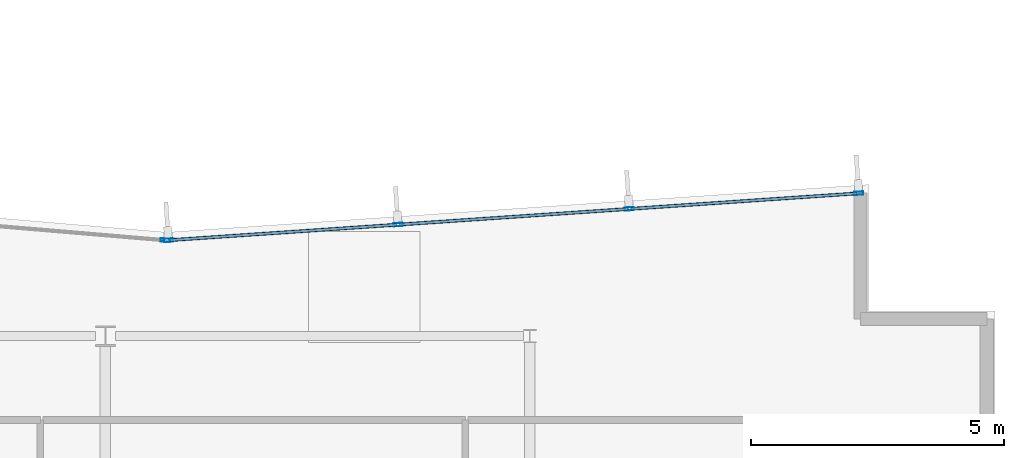
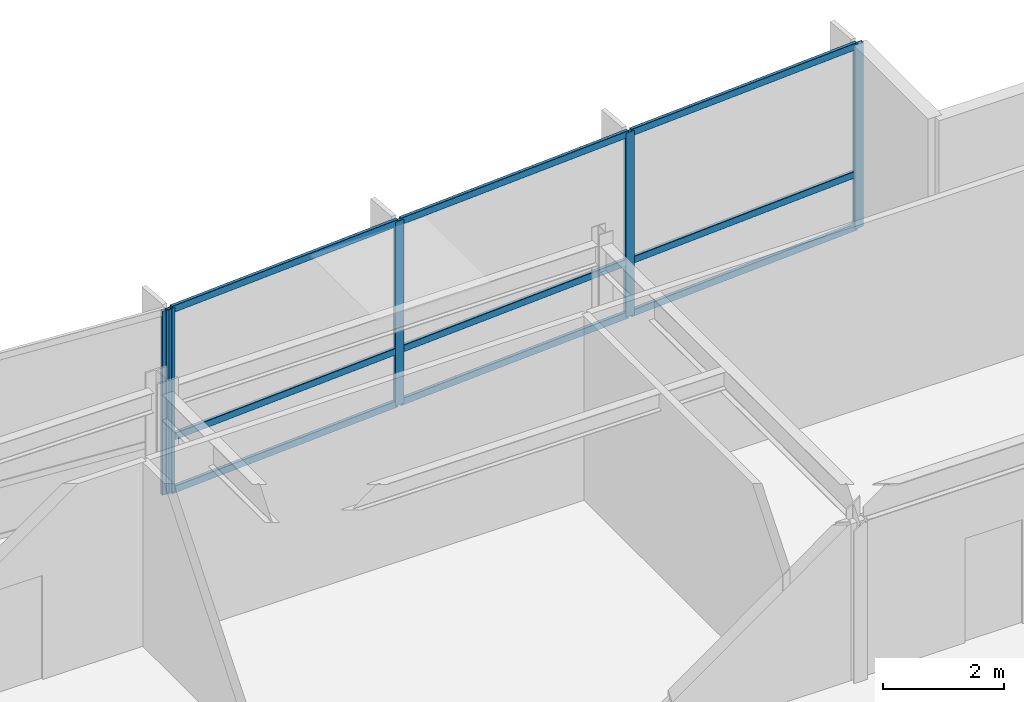
# One storey, part 7 of 14: 14 members, 2 elements without a shape of their own.
"""IFC4 building model written with IfcOpenShell, lengths in metres."""

from ifc_helpers import new_model, si_unit, direction, frame, origin, origin_2d, place, context, subcontext, project, spatial, hollow_rectangle, extrude, material, layer, layer_set, material_profile, profile_set, type_object, element, aggregate, save


model = new_model("IFC4")

# Units and contexts
model_context = context("Model", 3, precision=1e-05, world=origin(), true_north=direction((0.0, 1.0)))
body_context = subcontext(model_context, "Body", "Model", "MODEL_VIEW")
ifc_project = project(units=[si_unit("LENGTHUNIT", "METRE"), si_unit("AREAUNIT", "SQUARE_METRE"), si_unit("VOLUMEUNIT", "CUBIC_METRE"), si_unit("PLANEANGLEUNIT", "RADIAN"), si_unit("MASSUNIT", "GRAM", prefix="KILO")], contexts=[model_context])

# Site, building, storey
site_placement = place(None, origin())
site = spatial("IfcSite", under=ifc_project, at=site_placement, CompositionType="ELEMENT")
building_placement = place(site_placement, origin())
building = spatial("IfcBuilding", under=site, at=building_placement, Name="Varnakote Quay Hospital", CompositionType="ELEMENT")
storey_placement = place(building_placement, frame((0.0, 0.0, 211.85009765625)))
storey = spatial("IfcBuildingStorey", under=building, at=storey_placement, Name="L52", CompositionType="ELEMENT", Elevation=211.85009765625)

# Curtain wall, members
ifc_material_1 = material(Name="Anodised aluminium 6063-T6 Bronze", Category="aluminium")
ifc_layer = layer(ifc_material_1, 0.219970703125)
ifc_layer_set = layer_set([ifc_layer], Name="Anodised aluminium 6063-T6 Bronze")
curtain_wall_type = type_object("IfcCurtainWallType", Name="CW-SYS-4", PredefinedType="NOTDEFINED", material=ifc_layer_set)
curtain_wall_1_placement = place(storey_placement, origin())
curtain_wall_1 = element("IfcCurtainWall", 1, at=curtain_wall_1_placement, inside=storey, type_object=curtain_wall_type, Name="L52 Unitised Bronze Curtain Wall 1", PredefinedType="NOTDEFINED")
ifc_material_2 = material(Name="Anodised aluminium 6063-T6 Bronze", Category="aluminium")
ifc_material_profile_1 = material_profile(ifc_material_2, hollow_rectangle(XDim=0.06494140625, YDim=0.179931640625, WallThickness=0.00390625, InnerFilletRadius=0.00390625, OuterFilletRadius=0.008056640625, at=origin_2d()), Name="CW-MULL-180x65")
ifc_profile_set_1 = profile_set([ifc_material_profile_1], Name="Anodised aluminium 6063-T6 Bronze")
member_type_1 = type_object("IfcMemberType", Name="CW-MULL-180x65", PredefinedType="MULLION", material=ifc_profile_set_1)
member_1_placement = place(storey_placement, frame((48.507568359375, 31.626708984375, 0.0), z_axis=(0.0, 0.0, 1.0), x_axis=(0.067841851077, -0.997696087615, 0.0)))
member_1 = element("IfcMember", 2, at=member_1_placement, type_object=member_type_1, Name="-4-L52-1 mullion 1", PredefinedType="MULLION", context=body_context, shape_type="SweptSolid", body=[
    extrude(hollow_rectangle(XDim=0.06494140625, YDim=0.179931640625, WallThickness=0.00390625, InnerFilletRadius=0.00390625, OuterFilletRadius=0.008056640625, at=origin_2d()), origin(), (0.0, 0.0, 1.0), 3.7099609375),
])
member_2_placement = place(storey_placement, frame((43.96484375, 31.317626953125, 0.0), z_axis=(0.0, 0.0, 1.0), x_axis=(0.067841851077, -0.997696087615, 0.0)))
member_2 = element("IfcMember", 3, at=member_2_placement, type_object=member_type_1, Name="-4-L52-1 mullion 2", PredefinedType="MULLION", context=body_context, shape_type="SweptSolid", body=[
    extrude(hollow_rectangle(XDim=0.06494140625, YDim=0.179931640625, WallThickness=0.00390625, InnerFilletRadius=0.00390625, OuterFilletRadius=0.008056640625, at=origin_2d()), origin(), (0.0, 0.0, 1.0), 3.7099609375),
])
member_3_placement = place(storey_placement, frame((39.389892578125, 31.006591796875, 0.0), z_axis=(0.0, 0.0, 1.0), x_axis=(0.067841851077, -0.997696087615, 0.0)))
member_3 = element("IfcMember", 4, at=member_3_placement, type_object=member_type_1, Name="-4-L52-1 mullion 3", PredefinedType="MULLION", context=body_context, shape_type="SweptSolid", body=[
    extrude(hollow_rectangle(XDim=0.06494140625, YDim=0.179931640625, WallThickness=0.00390625, InnerFilletRadius=0.00390625, OuterFilletRadius=0.008056640625, at=origin_2d()), origin(), (0.0, 0.0, 1.0), 3.7099609375),
])
member_4_placement = place(storey_placement, frame((34.84716796875, 30.69775390625, 0.0), z_axis=(0.0, 0.0, 1.0), x_axis=(0.067841851077, -0.997696087615, 0.0)))
member_4 = element("IfcMember", 5, at=member_4_placement, type_object=member_type_1, Name="-4-L52-1 mullion 4", PredefinedType="MULLION", context=body_context, shape_type="SweptSolid", body=[
    extrude(hollow_rectangle(XDim=0.06494140625, YDim=0.179931640625, WallThickness=0.00390625, InnerFilletRadius=0.00390625, OuterFilletRadius=0.008056640625, at=origin_2d()), origin(), (0.0, 0.0, 1.0), 3.7099609375),
])

# Curtain wall, member
curtain_wall_2_placement = place(storey_placement, origin())
curtain_wall_2 = element("IfcCurtainWall", 6, at=curtain_wall_2_placement, inside=storey, type_object=curtain_wall_type, Name="L52 Unitised Bronze Curtain Wall 2", PredefinedType="NOTDEFINED")
member_5_placement = place(storey_placement, frame((34.7822265625, 30.6982421875, 0.0), z_axis=(0.0, 0.0, 1.0), x_axis=(-0.084136040089, -0.996454277304, 0.0)))
member_5 = element("IfcMember", 7, at=member_5_placement, type_object=member_type_1, Name="-4-L52-2 mullion 1", PredefinedType="MULLION", context=body_context, shape_type="SweptSolid", body=[
    extrude(hollow_rectangle(XDim=0.06494140625, YDim=0.179931640625, WallThickness=0.00390625, InnerFilletRadius=0.00390625, OuterFilletRadius=0.008056640625, at=origin_2d()), origin(), (0.0, 0.0, 1.0), 3.7099609375),
])
aggregate(curtain_wall_2, [member_5])

# Member
ifc_material_3 = material(Name="Anodised aluminium 6063-T6 Bronze", Category="aluminium")
ifc_material_profile_2 = material_profile(ifc_material_3, hollow_rectangle(XDim=0.06494140625, YDim=0.139892578125, WallThickness=0.00390625, InnerFilletRadius=0.00390625, OuterFilletRadius=0.007568359375, at=origin_2d()), Name="CW-TRAN-140x65")
ifc_profile_set_2 = profile_set([ifc_material_profile_2], Name="Anodised aluminium 6063-T6 Bronze")
member_type_2 = type_object("IfcMemberType", Name="CW-TRAN-140x65", PredefinedType="USERDEFINED", material=ifc_profile_set_2)
member_6_placement = place(storey_placement, frame((48.47509765625, 31.62451171875, 0.032470703125), z_axis=(-0.997692996523, -0.067887294022, 0.0), x_axis=(0.067887294022, -0.997692996523, 0.0)))
member_6 = element("IfcMember", 8, at=member_6_placement, type_object=member_type_2, Name="-4-L52-1 transom 1.1", ObjectType="TRANSOM", PredefinedType="USERDEFINED", context=body_context, shape_type="SweptSolid", body=[
    extrude(hollow_rectangle(XDim=0.06494140625, YDim=0.139892578125, WallThickness=0.00390625, InnerFilletRadius=0.00390625, OuterFilletRadius=0.007568359375, at=origin_2d()), origin(), (0.0, 0.0, 1.0), 4.488037109375),
])

member_7_placement = place(storey_placement, frame((48.47509765625, 31.62451171875, 1.099853515625), z_axis=(-0.997692996523, -0.067887294022, 0.0), x_axis=(0.067887294022, -0.997692996523, 0.0)))
member_7 = element("IfcMember", 9, at=member_7_placement, type_object=member_type_2, Name="-4-L52-1 transom 1.2", ObjectType="TRANSOM", PredefinedType="USERDEFINED", context=body_context, shape_type="SweptSolid", body=[
    extrude(hollow_rectangle(XDim=0.06494140625, YDim=0.139892578125, WallThickness=0.00390625, InnerFilletRadius=0.00390625, OuterFilletRadius=0.007568359375, at=origin_2d()), origin(), (0.0, 0.0, 1.0), 4.488037109375),
])

member_8_placement = place(storey_placement, frame((48.47509765625, 31.62451171875, 3.677490234375), z_axis=(-0.997692996523, -0.067887294022, 0.0), x_axis=(0.067887294022, -0.997692996523, 0.0)))
member_8 = element("IfcMember", 10, at=member_8_placement, type_object=member_type_2, Name="-4-L52-1 transom 1.3", ObjectType="TRANSOM", PredefinedType="USERDEFINED", context=body_context, shape_type="SweptSolid", body=[
    extrude(hollow_rectangle(XDim=0.06494140625, YDim=0.139892578125, WallThickness=0.00390625, InnerFilletRadius=0.00390625, OuterFilletRadius=0.007568359375, at=origin_2d()), origin(), (0.0, 0.0, 1.0), 4.488037109375),
])

member_9_placement = place(storey_placement, frame((43.932373046875, 31.3154296875, 0.032470703125), z_axis=(-0.997696835235, -0.06783085553, 0.0), x_axis=(0.06783085553, -0.997696835235, 0.0)))
member_9 = element("IfcMember", 11, at=member_9_placement, type_object=member_type_2, Name="-4-L52-1 transom 2.1", ObjectType="TRANSOM", PredefinedType="USERDEFINED", context=body_context, shape_type="SweptSolid", body=[
    extrude(hollow_rectangle(XDim=0.06494140625, YDim=0.139892578125, WallThickness=0.00390625, InnerFilletRadius=0.00390625, OuterFilletRadius=0.007568359375, at=origin_2d()), origin(), (0.0, 0.0, 1.0), 4.520751953125),
])

member_10_placement = place(storey_placement, frame((43.932373046875, 31.3154296875, 1.099853515625), z_axis=(-0.997696835235, -0.06783085553, 0.0), x_axis=(0.06783085553, -0.997696835235, 0.0)))
member_10 = element("IfcMember", 12, at=member_10_placement, type_object=member_type_2, Name="-4-L52-1 transom 2.2", ObjectType="TRANSOM", PredefinedType="USERDEFINED", context=body_context, shape_type="SweptSolid", body=[
    extrude(hollow_rectangle(XDim=0.06494140625, YDim=0.139892578125, WallThickness=0.00390625, InnerFilletRadius=0.00390625, OuterFilletRadius=0.007568359375, at=origin_2d()), origin(), (0.0, 0.0, 1.0), 4.520751953125),
])

member_11_placement = place(storey_placement, frame((43.932373046875, 31.3154296875, 3.677490234375), z_axis=(-0.997696835235, -0.06783085553, 0.0), x_axis=(0.06783085553, -0.997696835235, 0.0)))
member_11 = element("IfcMember", 13, at=member_11_placement, type_object=member_type_2, Name="-4-L52-1 transom 2.3", ObjectType="TRANSOM", PredefinedType="USERDEFINED", context=body_context, shape_type="SweptSolid", body=[
    extrude(hollow_rectangle(XDim=0.06494140625, YDim=0.139892578125, WallThickness=0.00390625, InnerFilletRadius=0.00390625, OuterFilletRadius=0.007568359375, at=origin_2d()), origin(), (0.0, 0.0, 1.0), 4.520751953125),
])

member_12_placement = place(storey_placement, frame((39.357421875, 31.00439453125, 0.032470703125), z_axis=(-0.997696679404, -0.06783314755, 0.0), x_axis=(0.06783314755, -0.997696679404, 0.0)))
member_12 = element("IfcMember", 14, at=member_12_placement, type_object=member_type_2, Name="-4-L52-1 transom 3.1", ObjectType="TRANSOM", PredefinedType="USERDEFINED", context=body_context, shape_type="SweptSolid", body=[
    extrude(hollow_rectangle(XDim=0.06494140625, YDim=0.139892578125, WallThickness=0.00390625, InnerFilletRadius=0.00390625, OuterFilletRadius=0.007568359375, at=origin_2d()), origin(), (0.0, 0.0, 1.0), 4.488037109375),
])

member_13_placement = place(storey_placement, frame((39.357421875, 31.00439453125, 1.099853515625), z_axis=(-0.997696679404, -0.06783314755, 0.0), x_axis=(0.06783314755, -0.997696679404, 0.0)))
member_13 = element("IfcMember", 15, at=member_13_placement, type_object=member_type_2, Name="-4-L52-1 transom 3.2", ObjectType="TRANSOM", PredefinedType="USERDEFINED", context=body_context, shape_type="SweptSolid", body=[
    extrude(hollow_rectangle(XDim=0.06494140625, YDim=0.139892578125, WallThickness=0.00390625, InnerFilletRadius=0.00390625, OuterFilletRadius=0.007568359375, at=origin_2d()), origin(), (0.0, 0.0, 1.0), 4.488037109375),
])

member_14_placement = place(storey_placement, frame((39.357421875, 31.00439453125, 3.677490234375), z_axis=(-0.997696679404, -0.06783314755, 0.0), x_axis=(0.06783314755, -0.997696679404, 0.0)))
member_14 = element("IfcMember", 16, at=member_14_placement, type_object=member_type_2, Name="-4-L52-1 transom 3.3", ObjectType="TRANSOM", PredefinedType="USERDEFINED", context=body_context, shape_type="SweptSolid", body=[
    extrude(hollow_rectangle(XDim=0.06494140625, YDim=0.139892578125, WallThickness=0.00390625, InnerFilletRadius=0.00390625, OuterFilletRadius=0.007568359375, at=origin_2d()), origin(), (0.0, 0.0, 1.0), 4.488037109375),
])

aggregate(curtain_wall_1, [member_1, member_2, member_3, member_4, member_6, member_7, member_8, member_9, member_10, member_11, member_12, member_13, member_14])

save(model, "model.ifc")
